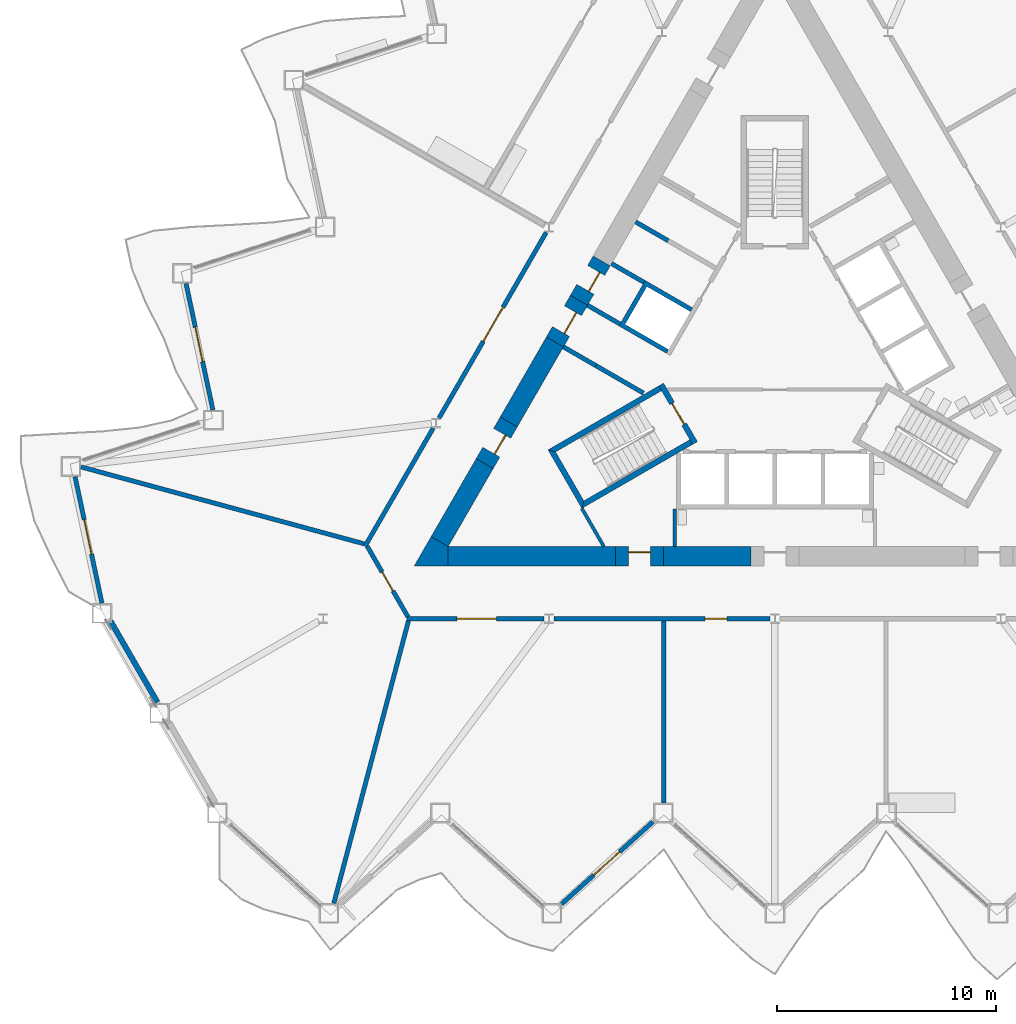
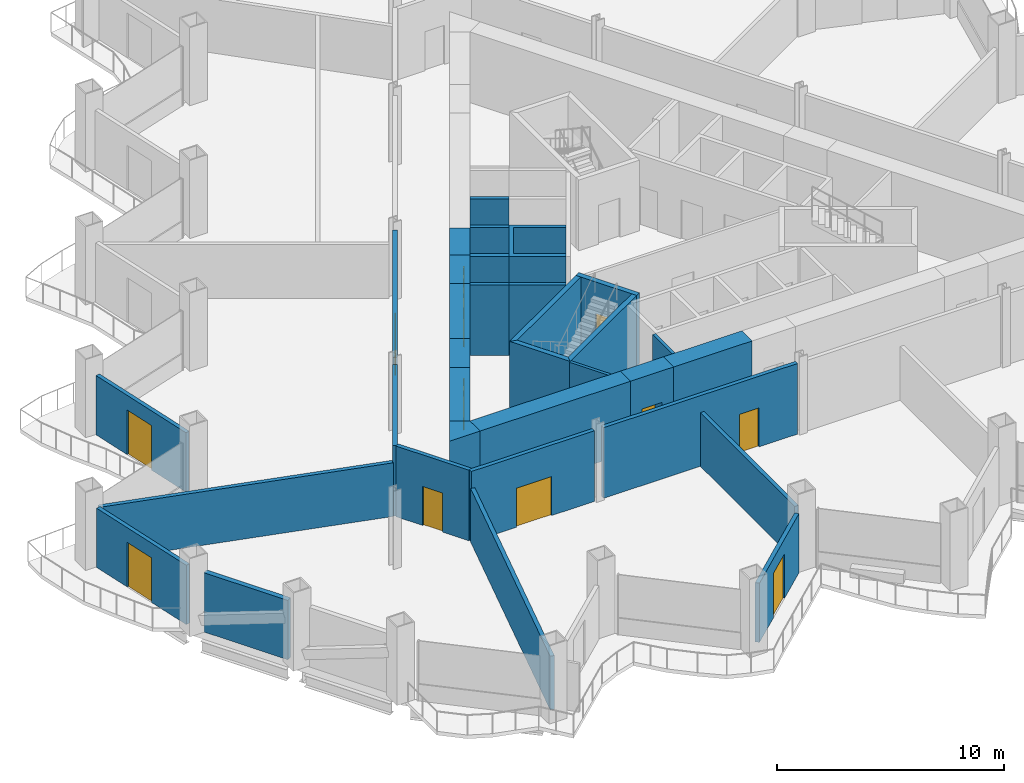
# One storey, part 10 of 21: 33 walls, 12 doors, 12 openings.
"""IFC4 building model written with IfcOpenShell, lengths in metres."""

from ifc_helpers import new_model, si_unit, direction, frame, frame_2d, origin, place, context, subcontext, project, spatial, polyline, rectangle, outline, extrude, material, layer, layer_set, type_object, element, fill, save


model = new_model("IFC4")

# Units and contexts
model_context = context("Model", 3, precision=1e-05, world=origin(), true_north=direction((0.0, 1.0)))
body_context = subcontext(model_context, "Body", "Model", "MODEL_VIEW")
ifc_project = project(units=[si_unit("LENGTHUNIT", "METRE"), si_unit("AREAUNIT", "SQUARE_METRE"), si_unit("VOLUMEUNIT", "CUBIC_METRE"), si_unit("PLANEANGLEUNIT", "RADIAN"), si_unit("MASSUNIT", "GRAM", prefix="KILO")], contexts=[model_context])

# Site, building, storey
site_placement = place(None, origin())
site = spatial("IfcSite", under=ifc_project, at=site_placement, CompositionType="ELEMENT")
building_placement = place(site_placement, origin())
building = spatial("IfcBuilding", under=site, at=building_placement, Name="Cormorant Prow Tower", CompositionType="ELEMENT")
storey_placement = place(building_placement, frame((0.0, 0.0, 145.800048828125)))
storey = spatial("IfcBuildingStorey", under=building, at=storey_placement, Name="L31", CompositionType="ELEMENT", Elevation=145.800048828125)

# Walls
ifc_material_1 = material(Name="Gypsum board partition")
ifc_layer_1 = layer(ifc_material_1, 0.14990234375)
ifc_layer_set_1 = layer_set([ifc_layer_1], Name="Gypsum board partition")
wall_type_1 = type_object("IfcWallType", Name="Core partition 150", PredefinedType="PARTITIONING", material=ifc_layer_set_1)
wall_1_placement = place(storey_placement, frame((-4.574951171875, -6.906005859375, 0.0), z_axis=(0.0, 0.0, 1.0), x_axis=(0.0, -1.0, 0.0)))
element("IfcWall", 1, at=wall_1_placement, inside=storey, type_object=wall_type_1, Name="Service room partition", PredefinedType="PARTITIONING", context=body_context, shape_type="SweptSolid", body=[
    extrude(rectangle(XDim=1.72021484375, YDim=0.14990234375, at=frame_2d((0.860107421875, 0.0))), origin(), (0.0, 0.0, 1.0), 3.800048828125),
])
wall_2_placement = place(storey_placement, frame((-8.82958984375, -6.880615234375, 0.0), z_axis=(0.0, 0.0, 1.0), x_axis=(0.500085890408, -0.865975809255, 0.0)))
element("IfcWall", 2, at=wall_2_placement, inside=storey, type_object=wall_type_1, Name="Service room partition", PredefinedType="PARTITIONING", context=body_context, shape_type="SweptSolid", body=[
    extrude(rectangle(XDim=2.015869140625, YDim=0.14990234375, at=frame_2d((1.0078125, 0.0))), origin(), (0.0, 0.0, 1.0), 3.800048828125),
])
ifc_material_2 = material(Name="Concrete 8000 psi", Category="concrete")
ifc_layer_2 = layer(ifc_material_2, 0.89990234375)
ifc_layer_set_2 = layer_set([ifc_layer_2], Name="Concrete 8000 psi")
wall_type_2 = type_object("IfcWallType", Name="Core shear wall 900", PredefinedType="SHEAR", material=ifc_layer_set_2)
wall_3_placement = place(storey_placement, frame((-14.941162109375, -9.076416015625, 0.0), z_axis=(0.0, 0.0, 1.0), x_axis=(1.0, 0.0, 0.0)))
element("IfcWall", 3, at=wall_3_placement, inside=storey, type_object=wall_type_2, Name="Core wall", PredefinedType="SHEAR", context=body_context, shape_type="SweptSolid", body=[
    extrude(rectangle(XDim=7.648681640625, YDim=0.89990234375, at=frame_2d((3.82421875, 0.0))), origin(), (0.0, 0.0, 1.0), 3.800048828125),
])
wall_4_placement = place(storey_placement, frame((-5.092529296875, -9.076416015625, 0.0), z_axis=(0.0, 0.0, 1.0), x_axis=(1.0, 0.0, 0.0)))
element("IfcWall", 4, at=wall_4_placement, inside=storey, type_object=wall_type_2, Name="Core wall", PredefinedType="SHEAR", context=body_context, shape_type="SweptSolid", body=[
    extrude(rectangle(XDim=3.992431640625, YDim=0.89990234375, at=frame_2d((1.99609375, 0.0))), origin(), (0.0, 0.0, 1.0), 3.800048828125),
])
wall_5_placement = place(storey_placement, frame((-10.060302734375, 0.7275390625, 0.0), z_axis=(0.0, 0.0, 1.0), x_axis=(-0.500021220092, -0.866013152012, 0.0)))
element("IfcWall", 5, at=wall_5_placement, inside=storey, type_object=wall_type_2, Name="Core wall", PredefinedType="SHEAR", context=body_context, shape_type="SweptSolid", body=[
    extrude(rectangle(XDim=4.220458984375, YDim=0.89990234375, at=frame_2d((2.1103515625, 0.0))), origin(), (0.0, 0.0, 1.0), 3.800048828125),
])
wall_6_placement = place(storey_placement, frame((-13.2705078125, -4.832763671875, 0.0), z_axis=(0.0, 0.0, 1.0), x_axis=(-0.499994272862, -0.866028710324, 0.0)))
element("IfcWall", 6, at=wall_6_placement, inside=storey, type_object=wall_type_2, Name="Core wall", PredefinedType="SHEAR", context=body_context, shape_type="SweptSolid", body=[
    extrude(rectangle(XDim=4.12060546875, YDim=0.89990234375, at=frame_2d((2.060302734375, 0.0))), origin(), (0.0, 0.0, 1.0), 3.800048828125),
])
wall_7_placement = place(storey_placement, origin())
element("IfcWall", 7, at=wall_7_placement, inside=storey, type_object=wall_type_2, Name="Core wall corner", PredefinedType="SHEAR", context=body_context, shape_type="SweptSolid", body=[
    extrude(outline(polyline([(-14.941162109375, -8.626220703125), (-14.941162109375, -9.5263671875), (-16.5, -9.5263671875), (-15.720703125, -8.17626953125), (-14.941162109375, -8.626220703125)])), origin(), (0.0, 0.0, 1.0), 3.800048828125),
])

# Wall, opening, door
wall_8_placement = place(storey_placement, frame((-12.170654296875, -2.927490234375, 0.0), z_axis=(0.0, 0.0, 1.0), x_axis=(-0.499946605688, -0.86605622881, 0.0)))
wall_8 = element("IfcWall", 8, at=wall_8_placement, inside=storey, type_object=wall_type_2, Name="Core wall door panel", PredefinedType="SHEAR", context=body_context, shape_type="SweptSolid", body=[
    extrude(rectangle(XDim=2.199951171875, YDim=0.89990234375, at=frame_2d((1.10009765625, 0.0))), origin(), (0.0, 0.0, 1.0), 3.800048828125),
])
opening_1_placement = place(wall_8_placement, frame((0.60009765625, 0.0, 0.0)))
opening_1 = element("IfcOpeningElement", 9, at=opening_1_placement, cuts=wall_8, Name="Opening L31-C17", PredefinedType="OPENING", context=body_context, shape_type="SweptSolid", body=[
    extrude(rectangle(XDim=1.0, YDim=2.10009765625, at=frame_2d((0.5, 1.050048828125))), frame((0.0, 0.4599609375, 0.0), z_axis=(0.0, -1.0, 0.0), x_axis=(1.0, 0.0, 0.0)), (0.0, 0.0, 1.0), 0.919921875),
])
ifc_material_3 = material(Name="Painted steel", Category="steel")
door_type_1 = type_object("IfcDoorType", Name="Service door 1000x2100", OperationType="NOTDEFINED", PredefinedType="DOOR", material=ifc_material_3)
door_1_placement = place(opening_1_placement, origin())
door_1 = element("IfcDoor", 10, at=door_1_placement, inside=storey, type_object=door_type_1, Name="Core door, Mechanical riser room", OperationType="SINGLE_SWING_LEFT", OverallHeight=2.10009765625, OverallWidth=1.0, PredefinedType="DOOR", context=body_context, shape_type="SweptSolid", body=[
    extrude(rectangle(XDim=1.0, YDim=2.10009765625, at=frame_2d((0.5, 1.050048828125))), frame((0.0, 0.205078125, 0.0), z_axis=(0.0, -1.0, 0.0), x_axis=(1.0, 0.0, 0.0)), (0.0, 0.0, 1.0), 0.050048828125),
])
fill(opening_1, door_1)

wall_9_placement = place(storey_placement, frame((-7.92041015625, 4.43408203125, 0.0), z_axis=(0.0, 0.0, 1.0), x_axis=(-0.499939227269, -0.866060488094, 0.0)))
wall_9 = element("IfcWall", 11, at=wall_9_placement, inside=storey, type_object=wall_type_2, Name="Core wall door panel", PredefinedType="SHEAR", context=body_context, shape_type="SweptSolid", body=[
    extrude(rectangle(XDim=2.079833984375, YDim=0.89990234375, at=frame_2d((1.0400390625, 0.0))), origin(), (0.0, 0.0, 1.0), 3.800048828125),
])
opening_2_placement = place(wall_9_placement, frame((0.5, 0.0, 0.0)))
opening_2 = element("IfcOpeningElement", 12, at=opening_2_placement, cuts=wall_9, Name="Opening L31-C19", PredefinedType="OPENING", context=body_context, shape_type="SweptSolid", body=[
    extrude(rectangle(XDim=1.0, YDim=2.10009765625, at=frame_2d((0.5, 1.050048828125))), frame((0.0, 0.4599609375, 0.0), z_axis=(0.0, -1.0, 0.0), x_axis=(1.0, 0.0, 0.0)), (0.0, 0.0, 1.0), 0.919921875),
])
door_2_placement = place(opening_2_placement, origin())
door_2 = element("IfcDoor", 13, at=door_2_placement, inside=storey, type_object=door_type_1, Name="Core door, Electrical room", OperationType="SINGLE_SWING_RIGHT", OverallHeight=2.10009765625, OverallWidth=1.0, PredefinedType="DOOR", context=body_context, shape_type="SweptSolid", body=[
    extrude(rectangle(XDim=1.0, YDim=2.10009765625, at=frame_2d((0.5, 1.050048828125))), frame((0.0, 0.205078125, 0.0), z_axis=(0.0, -1.0, 0.0), x_axis=(1.0, 0.0, 0.0)), (0.0, 0.0, 1.0), 0.050048828125),
])
fill(opening_2, door_2)

wall_10_placement = place(storey_placement, frame((-7.29248046875, -9.076416015625, 0.0), z_axis=(0.0, 0.0, 1.0), x_axis=(1.0, 0.0, 0.0)))
wall_10 = element("IfcWall", 14, at=wall_10_placement, inside=storey, type_object=wall_type_2, Name="Core wall door panel", PredefinedType="SHEAR", context=body_context, shape_type="SweptSolid", body=[
    extrude(rectangle(XDim=2.199951171875, YDim=0.89990234375, at=frame_2d((1.10009765625, 0.0))), origin(), (0.0, 0.0, 1.0), 3.800048828125),
])
opening_3_placement = place(wall_10_placement, frame((0.60009765625, 0.0, 0.0)))
opening_3 = element("IfcOpeningElement", 15, at=opening_3_placement, cuts=wall_10, Name="Opening L31-C21", PredefinedType="OPENING", context=body_context, shape_type="SweptSolid", body=[
    extrude(rectangle(XDim=1.0, YDim=2.10009765625, at=frame_2d((0.5, 1.050048828125))), frame((0.0, 0.4599609375, 0.0), z_axis=(0.0, -1.0, 0.0), x_axis=(1.0, 0.0, 0.0)), (0.0, 0.0, 1.0), 0.919921875),
])
door_3_placement = place(opening_3_placement, origin())
door_3 = element("IfcDoor", 16, at=door_3_placement, inside=storey, type_object=door_type_1, Name="Core door, Mechanical riser room", OperationType="SINGLE_SWING_LEFT", OverallHeight=2.10009765625, OverallWidth=1.0, PredefinedType="DOOR", context=body_context, shape_type="SweptSolid", body=[
    extrude(rectangle(XDim=1.0, YDim=2.10009765625, at=frame_2d((0.5, 1.050048828125))), frame((0.0, 0.205078125, 0.0), z_axis=(0.0, -1.0, 0.0), x_axis=(1.0, 0.0, 0.0)), (0.0, 0.0, 1.0), 0.050048828125),
])
fill(opening_3, door_3)

wall_11_placement = place(storey_placement, frame((-8.960205078125, 2.6328125, 0.0), z_axis=(0.0, 0.0, 1.0), x_axis=(-0.50002983664, -0.866008176907, 0.0)))
wall_11 = element("IfcWall", 17, at=wall_11_placement, inside=storey, type_object=wall_type_2, Name="Core wall door panel", PredefinedType="SHEAR", context=body_context, shape_type="SweptSolid", body=[
    extrude(rectangle(XDim=2.199951171875, YDim=0.89990234375, at=frame_2d((1.10009765625, 0.0))), origin(), (0.0, 0.0, 1.0), 3.800048828125),
])
opening_4_placement = place(wall_11_placement, frame((0.550048828125, 0.0, 0.0)))
opening_4 = element("IfcOpeningElement", 18, at=opening_4_placement, cuts=wall_11, Name="Opening L31-C22", PredefinedType="OPENING", context=body_context, shape_type="SweptSolid", body=[
    extrude(rectangle(XDim=1.10009765625, YDim=2.10009765625, at=frame_2d((0.550048828125, 1.050048828125))), frame((0.0, 0.4599609375, 0.0), z_axis=(0.0, -1.0, 0.0), x_axis=(1.0, 0.0, 0.0)), (0.0, 0.0, 1.0), 0.919921875),
])
ifc_material_4 = material(Name="Painted steel", Category="steel")
door_type_2 = type_object("IfcDoorType", Name="Core door 1100x2100", OperationType="NOTDEFINED", PredefinedType="DOOR", material=ifc_material_4)
door_4_placement = place(opening_4_placement, origin())
door_4 = element("IfcDoor", 19, at=door_4_placement, inside=storey, type_object=door_type_2, Name="Core door, lift lobby", OperationType="SINGLE_SWING_LEFT", OverallHeight=2.10009765625, OverallWidth=1.10009765625, PredefinedType="DOOR", context=body_context, shape_type="SweptSolid", body=[
    extrude(rectangle(XDim=1.10009765625, YDim=2.10009765625, at=frame_2d((0.550048828125, 1.050048828125))), frame((0.0, 0.205078125, 0.0), z_axis=(0.0, -1.0, 0.0), x_axis=(1.0, 0.0, 0.0)), (0.0, 0.0, 1.0), 0.050048828125),
])
fill(opening_4, door_4)

ifc_material_5 = material(Name="Gypsum board corridor wall")
ifc_layer_3 = layer(ifc_material_5, 0.199951171875)
ifc_layer_set_3 = layer_set([ifc_layer_3], Name="Gypsum board corridor wall")
wall_type_3 = type_object("IfcWallType", Name="Corridor wall 200", PredefinedType="PARTITIONING", material=ifc_layer_set_3)
wall_12_placement = place(storey_placement, frame((-10.10107421875, -11.92626953125, 0.0), z_axis=(0.0, 0.0, 1.0), x_axis=(1.0, 0.0, 0.0)))
wall_12 = element("IfcWall", 20, at=wall_12_placement, inside=storey, type_object=wall_type_3, Name="Corridor wall", PredefinedType="PARTITIONING", context=body_context, shape_type="SweptSolid", body=[
    extrude(rectangle(XDim=9.873779296875, YDim=0.199951171875, at=frame_2d((4.93701171875, 0.0))), origin(), (0.0, 0.0, 1.0), 3.800048828125),
])
opening_5_placement = place(wall_12_placement, frame((6.90869140625, 0.0, 0.0)))
opening_5 = element("IfcOpeningElement", 21, at=opening_5_placement, cuts=wall_12, Name="Opening L31-F02", PredefinedType="OPENING", context=body_context, shape_type="SweptSolid", body=[
    extrude(rectangle(XDim=1.0, YDim=2.10009765625, at=frame_2d((0.5, 1.050048828125))), frame((0.0, 0.10986328125, 0.0), z_axis=(0.0, -1.0, 0.0), x_axis=(1.0, 0.0, 0.0)), (0.0, 0.0, 1.0), 0.219970703125),
])
ifc_material_6 = material(Name="Timber door leaf", Category="wood")
door_type_3 = type_object("IfcDoorType", Name="Office door 1000x2100", OperationType="NOTDEFINED", PredefinedType="DOOR", material=ifc_material_6)
door_5_placement = place(opening_5_placement, origin())
door_5 = element("IfcDoor", 22, at=door_5_placement, inside=storey, type_object=door_type_3, Name="Tenant suite door", OperationType="SINGLE_SWING_LEFT", OverallHeight=2.10009765625, OverallWidth=1.0, PredefinedType="DOOR", context=body_context, shape_type="SweptSolid", body=[
    extrude(rectangle(XDim=1.0, YDim=2.10009765625, at=frame_2d((0.5, 1.050048828125))), frame((0.0, 0.02490234375, 0.0), z_axis=(0.0, -1.0, 0.0), x_axis=(1.0, 0.0, 0.0)), (0.0, 0.0, 1.0), 0.050048828125),
])
fill(opening_5, door_5)

wall_13_placement = place(storey_placement, frame((-15.361328125, -2.754150390625, 0.0), z_axis=(0.0, 0.0, 1.0), x_axis=(0.500004141693, 0.866023012564, 0.0)))
wall_13 = element("IfcWall", 23, at=wall_13_placement, inside=storey, type_object=wall_type_3, Name="Corridor wall", PredefinedType="PARTITIONING", context=body_context, shape_type="SweptSolid", body=[
    extrude(rectangle(XDim=9.80322265625, YDim=0.199951171875, at=frame_2d((4.901611328125, 0.0))), origin(), (0.0, 0.0, 1.0), 3.800048828125),
])
opening_6_placement = place(wall_13_placement, frame((4.0517578125, 0.0, 0.0)))
opening_6 = element("IfcOpeningElement", 24, at=opening_6_placement, cuts=wall_13, Name="Opening L31-F11", PredefinedType="OPENING", context=body_context, shape_type="SweptSolid", body=[
    extrude(rectangle(XDim=1.800048828125, YDim=2.10009765625, at=frame_2d((0.89990234375, 1.050048828125))), frame((0.0, 0.10986328125, 0.0), z_axis=(0.0, -1.0, 0.0), x_axis=(1.0, 0.0, 0.0)), (0.0, 0.0, 1.0), 0.219970703125),
])
ifc_material_7 = material(Name="Timber door leaf", Category="wood")
door_type_4 = type_object("IfcDoorType", Name="Double door 1800x2100", OperationType="DOUBLE_DOOR_SINGLE_SWING", PredefinedType="DOOR", material=ifc_material_7)
door_6_placement = place(opening_6_placement, origin())
door_6 = element("IfcDoor", 25, at=door_6_placement, inside=storey, type_object=door_type_4, Name="Open-plan office door", OperationType="DOUBLE_DOOR_SINGLE_SWING", OverallHeight=2.10009765625, OverallWidth=1.800048828125, PredefinedType="DOOR", context=body_context, shape_type="SweptSolid", body=[
    extrude(rectangle(XDim=1.800048828125, YDim=2.10009765625, at=frame_2d((0.89990234375, 1.050048828125))), frame((0.0, 0.02490234375, 0.0), z_axis=(0.0, -1.0, 0.0), x_axis=(1.0, 0.0, 0.0)), (0.0, 0.0, 1.0), 0.050048828125),
])
fill(opening_6, door_6)

wall_14_placement = place(storey_placement, frame((-16.830810546875, -11.92626953125, 0.0), z_axis=(0.0, 0.0, 1.0), x_axis=(1.0, 0.0, 0.0)))
wall_14 = element("IfcWall", 26, at=wall_14_placement, inside=storey, type_object=wall_type_3, Name="Corridor wall", PredefinedType="PARTITIONING", context=body_context, shape_type="SweptSolid", body=[
    extrude(rectangle(XDim=6.27490234375, YDim=0.199951171875, at=frame_2d((3.137451171875, 0.0))), origin(), (0.0, 0.0, 1.0), 3.800048828125),
])
opening_7_placement = place(wall_14_placement, frame((2.28857421875, 0.0, 0.0)))
opening_7 = element("IfcOpeningElement", 27, at=opening_7_placement, cuts=wall_14, Name="Opening L31-F01", PredefinedType="OPENING", context=body_context, shape_type="SweptSolid", body=[
    extrude(rectangle(XDim=1.800048828125, YDim=2.10009765625, at=frame_2d((0.89990234375, 1.050048828125))), frame((0.0, 0.10986328125, 0.0), z_axis=(0.0, -1.0, 0.0), x_axis=(1.0, 0.0, 0.0)), (0.0, 0.0, 1.0), 0.219970703125),
])
door_7_placement = place(opening_7_placement, origin())
door_7 = element("IfcDoor", 28, at=door_7_placement, inside=storey, type_object=door_type_4, Name="Open-plan office door", OperationType="DOUBLE_DOOR_SINGLE_SWING", OverallHeight=2.10009765625, OverallWidth=1.800048828125, PredefinedType="DOOR", context=body_context, shape_type="SweptSolid", body=[
    extrude(rectangle(XDim=1.800048828125, YDim=2.10009765625, at=frame_2d((0.89990234375, 1.050048828125))), frame((0.0, 0.02490234375, 0.0), z_axis=(0.0, -1.0, 0.0), x_axis=(1.0, 0.0, 0.0)), (0.0, 0.0, 1.0), 0.050048828125),
])
fill(opening_7, door_7)

# Wall
wall_15_placement = place(storey_placement, frame((-18.743896484375, -8.61279296875, 0.0), z_axis=(0.0, 0.0, 1.0), x_axis=(0.499997920671, 0.866026604282, 0.0)))
element("IfcWall", 29, at=wall_15_placement, inside=storey, type_object=wall_type_3, Name="Corridor wall", PredefinedType="PARTITIONING", context=body_context, shape_type="SweptSolid", body=[
    extrude(rectangle(XDim=6.23974609375, YDim=0.199951171875, at=frame_2d((3.119873046875, 0.0))), origin(), (0.0, 0.0, 1.0), 3.800048828125),
])

# Wall, opening, door
wall_16_placement = place(storey_placement, frame((-18.643798828125, -8.61279296875, 0.0), z_axis=(0.0, 0.0, 1.0), x_axis=(0.499958791762, -0.866049194065, 0.0)))
wall_16 = element("IfcWall", 30, at=wall_16_placement, inside=storey, type_object=wall_type_3, Name="Corridor wall", PredefinedType="PARTITIONING", context=body_context, shape_type="SweptSolid", body=[
    extrude(rectangle(XDim=3.725830078125, YDim=0.199951171875, at=frame_2d((1.86279296875, 0.0))), origin(), (0.0, 0.0, 1.0), 3.800048828125),
])
opening_8_placement = place(wall_16_placement, frame((1.363037109375, 0.0, 0.0)))
opening_8 = element("IfcOpeningElement", 31, at=opening_8_placement, cuts=wall_16, Name="Opening L31-F12", PredefinedType="OPENING", context=body_context, shape_type="SweptSolid", body=[
    extrude(rectangle(XDim=1.0, YDim=2.10009765625, at=frame_2d((0.5, 1.050048828125))), frame((0.0, 0.10986328125, 0.0), z_axis=(0.0, -1.0, 0.0), x_axis=(1.0, 0.0, 0.0)), (0.0, 0.0, 1.0), 0.219970703125),
])
door_8_placement = place(opening_8_placement, origin())
door_8 = element("IfcDoor", 32, at=door_8_placement, inside=storey, type_object=door_type_3, Name="Tenant suite door", OperationType="SINGLE_SWING_LEFT", OverallHeight=2.10009765625, OverallWidth=1.0, PredefinedType="DOOR", context=body_context, shape_type="SweptSolid", body=[
    extrude(rectangle(XDim=1.0, YDim=2.10009765625, at=frame_2d((0.5, 1.050048828125))), frame((0.0, 0.02490234375, 0.0), z_axis=(0.0, -1.0, 0.0), x_axis=(1.0, 0.0, 0.0)), (0.0, 0.0, 1.0), 0.050048828125),
])
fill(opening_8, door_8)

# Walls
ifc_material_8 = material(Name="Gypsum board demising wall")
ifc_layer_4 = layer(ifc_material_8, 0.199951171875)
ifc_layer_set_4 = layer_set([ifc_layer_4], Name="Gypsum board demising wall")
wall_type_4 = type_object("IfcWallType", Name="Demising wall 200", PredefinedType="PARTITIONING", material=ifc_layer_set_4)
wall_17_placement = place(storey_placement, frame((-31.736083984375, -4.98388671875, 0.0), z_axis=(0.0, 0.0, 1.0), x_axis=(0.965038802525, -0.262107057556, 0.0)))
element("IfcWall", 33, at=wall_17_placement, inside=storey, type_object=wall_type_4, Name="Demising wall", PredefinedType="PARTITIONING", context=body_context, shape_type="SweptSolid", body=[
    extrude(rectangle(XDim=13.414794921875, YDim=0.199951171875, at=frame_2d((6.70751953125, 0.0))), origin(), (0.0, 0.0, 1.0), 2.88525390625),
])
wall_18_placement = place(storey_placement, frame((-20.17041015625, -24.939208984375, 0.0), z_axis=(0.0, 0.0, 1.0), x_axis=(0.25554647156, 0.966796773305, 0.0)))
element("IfcWall", 34, at=wall_18_placement, inside=storey, type_object=wall_type_4, Name="Demising wall", PredefinedType="PARTITIONING", context=body_context, shape_type="SweptSolid", body=[
    extrude(rectangle(XDim=13.35986328125, YDim=0.199951171875, at=frame_2d((6.679931640625, 0.0))), origin(), (0.0, 0.0, 1.0), 2.88525390625),
])
wall_19_placement = place(storey_placement, frame((-5.081298828125, -20.34716796875, 0.0), z_axis=(0.0, 0.0, 1.0), x_axis=(0.0, 1.0, 0.0)))
element("IfcWall", 35, at=wall_19_placement, inside=storey, type_object=wall_type_4, Name="Demising wall", PredefinedType="PARTITIONING", context=body_context, shape_type="SweptSolid", body=[
    extrude(rectangle(XDim=8.32080078125, YDim=0.199951171875, at=frame_2d((4.160400390625, 0.0))), origin(), (0.0, 0.0, 1.0), 2.88525390625),
])
ifc_material_9 = material(Name="Concrete 8000 psi", Category="concrete")
ifc_layer_5 = layer(ifc_material_9, 0.199951171875)
ifc_layer_set_5 = layer_set([ifc_layer_5], Name="Concrete 8000 psi")
wall_type_5 = type_object("IfcWallType", Name="Lift shaft wall 200", PredefinedType="SHEAR", material=ifc_layer_set_5)
wall_20_placement = place(storey_placement, origin())
element("IfcWall", 36, at=wall_20_placement, inside=storey, type_object=wall_type_5, Name="Lift shaft walls, WNW block", PredefinedType="SHEAR", context=body_context, shape_type="SweptSolid", body=[
    extrude(outline(polyline([(-6.060546875, -1.697021484375), (-8.230712890625, -0.444091796875), (-8.130859375, -0.27099609375), (-5.96044921875, -1.52392578125), (-6.060546875, -1.697021484375)])), origin(), (0.0, 0.0, 1.0), 3.800048828125),
])
wall_21_placement = place(storey_placement, origin())
element("IfcWall", 37, at=wall_21_placement, inside=storey, type_object=wall_type_5, Name="Lift shaft walls, WNW block", PredefinedType="SHEAR", context=body_context, shape_type="SweptSolid", body=[
    extrude(outline(polyline([(-4.96044921875, 0.2080078125), (-7.130859375, 1.461181640625), (-5.930908203125, 3.53955078125), (-3.760498046875, 2.28662109375), (-3.860595703125, 2.11328125), (-5.852294921875, 3.263427734375), (-6.852294921875, 1.53125), (-4.860595703125, 0.38134765625), (-4.96044921875, 0.2080078125)])), origin(), (0.0, 0.0, 1.0), 3.800048828125),
])
wall_22_placement = place(storey_placement, frame((-4.880859375, 5.3583984375, 0.0), z_axis=(0.0, 0.0, 1.0), x_axis=(-0.866024871741, 0.500000921525, 0.0)))
element("IfcWall", 38, at=wall_22_placement, inside=storey, type_object=wall_type_5, Name="Store side wall", PredefinedType="SHEAR", context=body_context, shape_type="SweptSolid", body=[
    extrude(rectangle(XDim=1.72021484375, YDim=0.199951171875, at=frame_2d((0.860107421875, 0.0))), origin(), (0.0, 0.0, 1.0), 3.800048828125),
])
wall_23_placement = place(storey_placement, frame((-5.980712890625, 3.452880859375, 0.0), z_axis=(0.0, 0.0, 1.0), x_axis=(-0.866060346521, 0.499939472521, 0.0)))
element("IfcWall", 39, at=wall_23_placement, inside=storey, type_object=wall_type_5, Name="Store side wall", PredefinedType="SHEAR", context=body_context, shape_type="SweptSolid", body=[
    extrude(rectangle(XDim=1.720458984375, YDim=0.199951171875, at=frame_2d((0.8603515625, 0.0))), origin(), (0.0, 0.0, 1.0), 3.800048828125),
])
for number, where, z_axis, x_axis, name in (
    (40, (-7.080810546875, 1.547607421875, 0.0), (0.0, 0.0, 1.0), (-0.865963414263, 0.500107353632, 0.0), "Lobby passage wall"),
    (41, (-8.180908203125, -0.357421875, 0.0), (0.0, 0.0, 1.0), (-0.866024871741, 0.500000921525, 0.0), "Lobby passage wall"),
):
    element("IfcWall", number, at=place(storey_placement, frame(where, z_axis=z_axis, x_axis=x_axis)), inside=storey, type_object=wall_type_5, Name=name, PredefinedType="SHEAR", context=body_context, shape_type="SweptSolid", body=[
        extrude(rectangle(XDim=1.72021484375, YDim=0.199951171875, at=frame_2d((0.860107421875, 0.0))), origin(), (0.0, 0.0, 1.0), 3.800048828125),
    ])
ifc_material_10 = material(Name="Concrete 8000 psi", Category="concrete")
ifc_layer_6 = layer(ifc_material_10, 0.25)
ifc_layer_set_6 = layer_set([ifc_layer_6], Name="Concrete 8000 psi")
wall_type_6 = type_object("IfcWallType", Name="Stair wall 250", PredefinedType="SHEAR", material=ifc_layer_set_6)
wall_24_placement = place(storey_placement, origin())
element("IfcWall", 42, at=wall_24_placement, inside=storey, type_object=wall_type_6, Name="Stair ST1 enclosure wall (flank)", PredefinedType="SHEAR", context=body_context, shape_type="SweptSolid", body=[
    extrude(outline(polyline([(-5.30712890625, -1.28125), (-10.37353515625, -4.206298828125), (-10.031982421875, -4.2978515625), (-5.18212890625, -1.497802734375), (-5.30712890625, -1.28125)])), origin(), (0.0, 0.0, 1.0), 3.800048828125),
])
wall_25_placement = place(storey_placement, origin())
element("IfcWall", 43, at=wall_25_placement, inside=storey, type_object=wall_type_6, Name="Stair ST1 enclosure wall (end)", PredefinedType="SHEAR", context=body_context, shape_type="SweptSolid", body=[
    extrude(outline(polyline([(-10.37353515625, -4.206298828125), (-8.82958984375, -6.880615234375), (-8.738037109375, -6.5390625), (-10.031982421875, -4.2978515625), (-10.37353515625, -4.206298828125)])), origin(), (0.0, 0.0, 1.0), 3.800048828125),
])
wall_26_placement = place(storey_placement, origin())
element("IfcWall", 44, at=wall_26_placement, inside=storey, type_object=wall_type_6, Name="Stair ST1 enclosure wall (flank)", PredefinedType="SHEAR", context=body_context, shape_type="SweptSolid", body=[
    extrude(outline(polyline([(-8.738037109375, -6.5390625), (-8.82958984375, -6.880615234375), (-3.76318359375, -3.95556640625), (-3.88818359375, -3.739013671875), (-8.738037109375, -6.5390625)])), origin(), (0.0, 0.0, 1.0), 3.800048828125),
])

# Wall, opening, door
wall_27_placement = place(storey_placement, frame((-5.198974609375, -1.21875, 0.0), z_axis=(0.0, 0.0, 1.0), x_axis=(0.499982516597, -0.866035497597, 0.0)))
wall_27 = element("IfcWall", 45, at=wall_27_placement, inside=storey, type_object=wall_type_6, Name="Stair ST1 door wall", PredefinedType="SHEAR", context=body_context, shape_type="SweptSolid", body=[
    extrude(rectangle(XDim=3.087890625, YDim=0.25, at=frame_2d((1.5439453125, 0.0))), origin(), (0.0, 0.0, 1.0), 3.800048828125),
])
opening_9_placement = place(wall_27_placement, frame((0.993896484375, 0.0, 0.0)))
opening_9 = element("IfcOpeningElement", 46, at=opening_9_placement, cuts=wall_27, Name="Opening L31-C12", PredefinedType="OPENING", context=body_context, shape_type="SweptSolid", body=[
    extrude(rectangle(XDim=1.10009765625, YDim=2.10009765625, at=frame_2d((0.550048828125, 1.050048828125))), frame((0.0, 0.135009765625, 0.0), z_axis=(0.0, -1.0, 0.0), x_axis=(1.0, 0.0, 0.0)), (0.0, 0.0, 1.0), 0.27001953125),
])
ifc_material_11 = material(Name="Painted steel", Category="steel")
door_type_5 = type_object("IfcDoorType", Name="Stair door 1100x2100", OperationType="NOTDEFINED", PredefinedType="DOOR", material=ifc_material_11)
door_9_placement = place(opening_9_placement, origin())
door_9 = element("IfcDoor", 47, at=door_9_placement, inside=storey, type_object=door_type_5, Name="Stair ST1 door", OperationType="SINGLE_SWING_LEFT", OverallHeight=2.10009765625, OverallWidth=1.10009765625, PredefinedType="DOOR", context=body_context, shape_type="SweptSolid", body=[
    extrude(rectangle(XDim=1.10009765625, YDim=2.10009765625, at=frame_2d((0.550048828125, 1.050048828125))), frame((0.0, 0.02490234375, 0.0), z_axis=(0.0, -1.0, 0.0), x_axis=(1.0, 0.0, 0.0)), (0.0, 0.0, 1.0), 0.050048828125),
])
fill(opening_9, door_9)

# Wall
ifc_material_12 = material(Name="Terracotta", Category="masonry")
ifc_layer_7 = layer(ifc_material_12, 0.25)
ifc_layer_set_7 = layer_set([ifc_layer_7], Name="Terracotta")
wall_type_7 = type_object("IfcWallType", Name="Terracotta bay wall 250", PredefinedType="SOLIDWALL", material=ifc_layer_set_7)
wall_28_placement = place(storey_placement, frame((-30.378662109375, -12.040771484375, 0.0), z_axis=(0.0, 0.0, 1.0), x_axis=(0.499995966399, -0.866027732573, 0.0)))
element("IfcWall", 48, at=wall_28_placement, inside=storey, type_object=wall_type_7, Name="Terracotta bay wall WSW00", PredefinedType="SOLIDWALL", context=body_context, shape_type="SweptSolid", body=[
    extrude(rectangle(XDim=4.275390625, YDim=0.25, at=frame_2d((2.1376953125, 0.0))), origin(), (0.0, 0.0, 1.0), 3.18896484375),
])

# Wall, opening, door
ifc_material_13 = material(Name="Terracotta", Category="masonry")
ifc_layer_8 = layer(ifc_material_13, 0.199951171875)
ifc_layer_set_8 = layer_set([ifc_layer_8], Name="Terracotta")
wall_type_8 = type_object("IfcWallType", Name="Terracotta jamb wall 200", PredefinedType="SOLIDWALL", material=ifc_layer_set_8)
wall_29_placement = place(storey_placement, frame((-9.757080078125, -24.97705078125, 0.0), z_axis=(0.0, 0.0, 1.0), x_axis=(0.743158172546, 0.66911578264, 0.0)))
wall_29 = element("IfcWall", 49, at=wall_29_placement, inside=storey, type_object=wall_type_8, Name="Terracotta jamb wall S03", PredefinedType="SOLIDWALL", context=body_context, shape_type="SweptSolid", body=[
    extrude(rectangle(XDim=5.625244140625, YDim=0.199951171875, at=frame_2d((2.8125, 0.0))), origin(), (0.0, 0.0, 1.0), 3.18896484375),
])
opening_10_placement = place(wall_29_placement, frame((1.98291015625, 0.0, 0.0)))
opening_10 = element("IfcOpeningElement", 50, at=opening_10_placement, cuts=wall_29, Name="Opening ED31.02", PredefinedType="OPENING", context=body_context, shape_type="SweptSolid", body=[
    extrude(rectangle(XDim=1.60009765625, YDim=2.39990234375, at=frame_2d((0.800048828125, 1.199951171875))), frame((0.0, 0.10986328125, 0.0), z_axis=(0.0, -1.0, 0.0), x_axis=(1.0, 0.0, 0.0)), (0.0, 0.0, 1.0), 0.219970703125),
])
ifc_material_14 = material(Name="Aluminium 6063-T6", Category="aluminium")
door_type_6 = type_object("IfcDoorType", Name="Balcony door 1600x2400", OperationType="DOUBLE_DOOR_SINGLE_SWING", PredefinedType="DOOR", material=ifc_material_14)
door_10_placement = place(opening_10_placement, origin())
door_10 = element("IfcDoor", 51, at=door_10_placement, inside=storey, type_object=door_type_6, Name="Balcony door S03 ED31.02", OperationType="DOUBLE_DOOR_SINGLE_SWING", OverallHeight=2.39990234375, OverallWidth=1.60009765625, PredefinedType="DOOR", context=body_context, shape_type="SweptSolid", body=[
    extrude(rectangle(XDim=1.60009765625, YDim=2.39990234375, at=frame_2d((0.800048828125, 1.199951171875))), frame((0.0, 0.02490234375, 0.0), z_axis=(0.0, -1.0, 0.0), x_axis=(1.0, 0.0, 0.0)), (0.0, 0.0, 1.0), 0.050048828125),
])
fill(opening_10, door_10)

wall_30_placement = place(storey_placement, frame((-26.9287109375, 3.399658203125, 0.0), z_axis=(0.0, 0.0, 1.0), x_axis=(0.207917562075, -0.978146352741, 0.0)))
wall_30 = element("IfcWall", 52, at=wall_30_placement, inside=storey, type_object=wall_type_8, Name="Terracotta jamb wall WNW07", PredefinedType="SOLIDWALL", context=body_context, shape_type="SweptSolid", body=[
    extrude(rectangle(XDim=5.90869140625, YDim=0.199951171875, at=frame_2d((2.954345703125, 0.0))), origin(), (0.0, 0.0, 1.0), 3.18896484375),
])
opening_11_placement = place(wall_30_placement, frame((2.0478515625, 0.0, 0.0)))
opening_11 = element("IfcOpeningElement", 53, at=opening_11_placement, cuts=wall_30, Name="Opening ED31.14", PredefinedType="OPENING", context=body_context, shape_type="SweptSolid", body=[
    extrude(rectangle(XDim=1.60009765625, YDim=2.39990234375, at=frame_2d((0.800048828125, 1.199951171875))), frame((0.0, 0.10986328125, 0.0), z_axis=(0.0, -1.0, 0.0), x_axis=(1.0, 0.0, 0.0)), (0.0, 0.0, 1.0), 0.219970703125),
])
door_11_placement = place(opening_11_placement, origin())
door_11 = element("IfcDoor", 54, at=door_11_placement, inside=storey, type_object=door_type_6, Name="Balcony door WNW07 ED31.14", OperationType="DOUBLE_DOOR_SINGLE_SWING", OverallHeight=2.39990234375, OverallWidth=1.60009765625, PredefinedType="DOOR", context=body_context, shape_type="SweptSolid", body=[
    extrude(rectangle(XDim=1.60009765625, YDim=2.39990234375, at=frame_2d((0.800048828125, 1.199951171875))), frame((0.0, 0.02490234375, 0.0), z_axis=(0.0, -1.0, 0.0), x_axis=(1.0, 0.0, 0.0)), (0.0, 0.0, 1.0), 0.050048828125),
])
fill(opening_11, door_11)

wall_31_placement = place(storey_placement, frame((-32.003173828125, -5.433837890625, 0.0), z_axis=(0.0, 0.0, 1.0), x_axis=(0.207886430801, -0.978152969575, 0.0)))
wall_31 = element("IfcWall", 55, at=wall_31_placement, inside=storey, type_object=wall_type_8, Name="Terracotta jamb wall WNW09", PredefinedType="SOLIDWALL", context=body_context, shape_type="SweptSolid", body=[
    extrude(rectangle(XDim=5.908447265625, YDim=0.199951171875, at=frame_2d((2.9541015625, 0.0))), origin(), (0.0, 0.0, 1.0), 3.18896484375),
])
opening_12_placement = place(wall_31_placement, frame((2.01513671875, 0.0, 0.0)))
opening_12 = element("IfcOpeningElement", 56, at=opening_12_placement, cuts=wall_31, Name="Opening ED31.15", PredefinedType="OPENING", context=body_context, shape_type="SweptSolid", body=[
    extrude(rectangle(XDim=1.60009765625, YDim=2.39990234375, at=frame_2d((0.800048828125, 1.199951171875))), frame((0.0, 0.10986328125, 0.0), z_axis=(0.0, -1.0, 0.0), x_axis=(1.0, 0.0, 0.0)), (0.0, 0.0, 1.0), 0.219970703125),
])
door_12_placement = place(opening_12_placement, origin())
door_12 = element("IfcDoor", 57, at=door_12_placement, inside=storey, type_object=door_type_6, Name="Balcony door WNW09 ED31.15", OperationType="DOUBLE_DOOR_SINGLE_SWING", OverallHeight=2.39990234375, OverallWidth=1.60009765625, PredefinedType="DOOR", context=body_context, shape_type="SweptSolid", body=[
    extrude(rectangle(XDim=1.60009765625, YDim=2.39990234375, at=frame_2d((0.800048828125, 1.199951171875))), frame((0.0, 0.02490234375, 0.0), z_axis=(0.0, -1.0, 0.0), x_axis=(1.0, 0.0, 0.0)), (0.0, 0.0, 1.0), 0.050048828125),
])
fill(opening_12, door_12)

save(model, "model.ifc")
